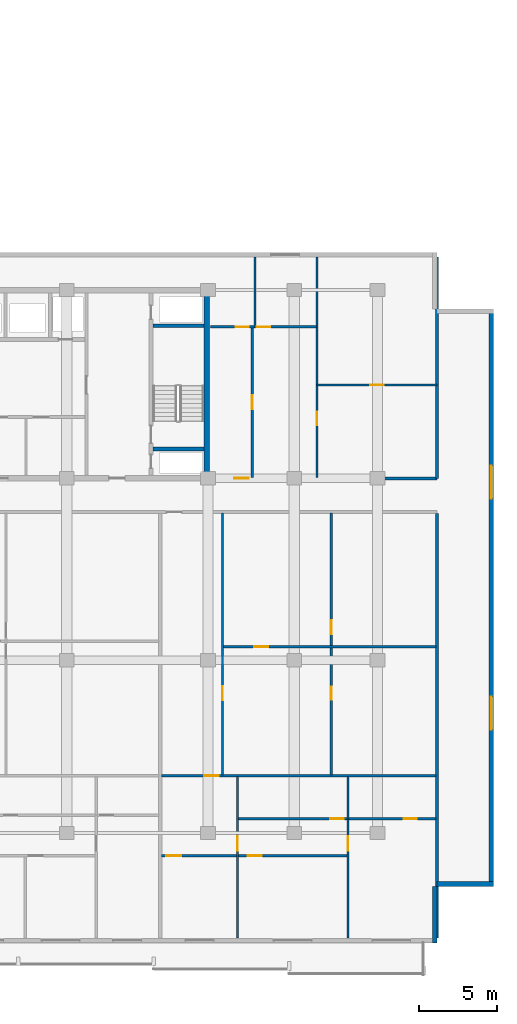
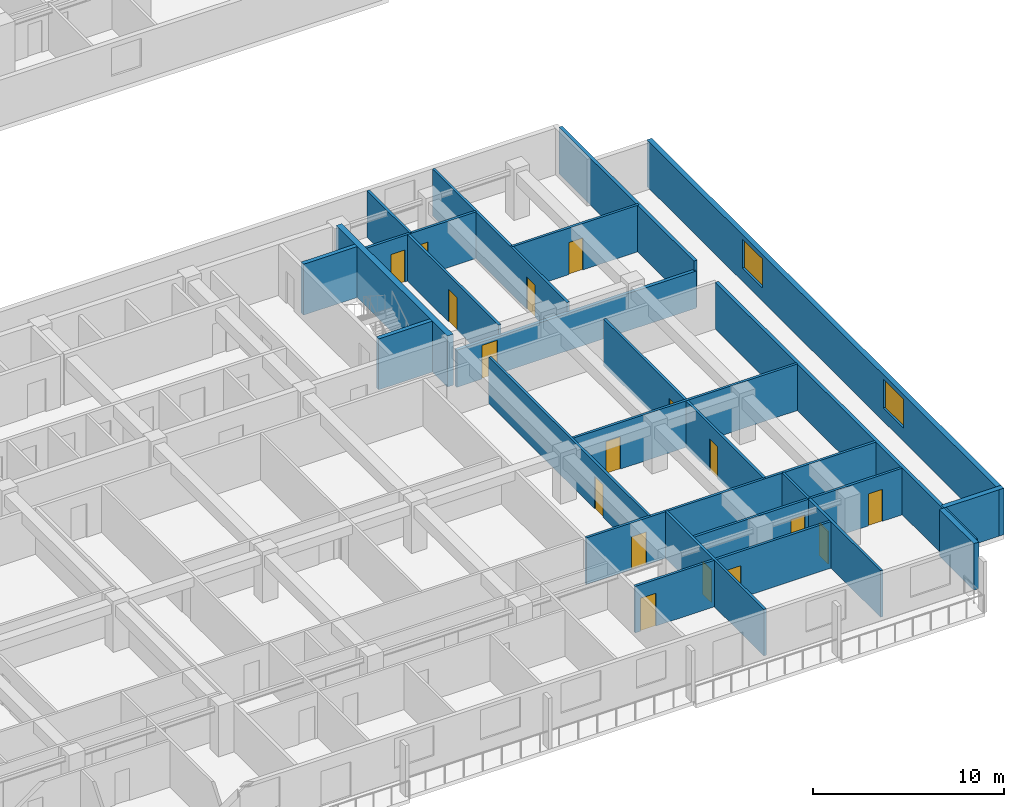
# One storey, part 8 of 23: 23 walls, 17 doors, 2 windows, 19 openings.
"""IFC4 building model written with IfcOpenShell, lengths in metres."""

import ifcopenshell
import ifcopenshell.guid

model = None  # the IFC model being written
_history = None  # IfcOwnerHistory: only IFC2X3 demands one
_inside = {}  # id of a spatial element -> (the spatial element, [elements in it])
_under = {}  # id of a project, library or spatial element -> (it, [spatial elements below it])
_declared = {}  # id of a project -> (the project, [libraries it declares])
_typed = {}  # id of a type object -> (the type object, [elements of that type])
_made_of = {}  # id of a material, layer set ... -> (it, [elements and type objects made of it])


def new_model(schema):
    """Start an empty IFC model of exactly this schema.

    Asked for "IFC4X3", IfcOpenShell would pick the latest addendum, in which some entities
    have other attributes; the version numbers below select the first issue.
    IFC2X3 requires an IfcOwnerHistory on every rooted entity: one is made here for all.
    """
    global model, _history
    if schema == "IFC4X3":
        model = ifcopenshell.file(schema_version=(4, 3, 0, 0))
    else:
        model = ifcopenshell.file(schema=schema)
    _inside.clear()
    _under.clear()
    _declared.clear()
    _typed.clear()
    _made_of.clear()
    _history = None
    if model.schema == "IFC2X3":
        org = make("IfcOrganization", Name="unknown")
        user = make(
            "IfcPersonAndOrganization",
            ThePerson=make("IfcPerson", FamilyName="unknown"),
            TheOrganization=org,
        )
        app = make(
            "IfcApplication",
            ApplicationDeveloper=org,
            Version="unknown",
            ApplicationFullName="unknown",
            ApplicationIdentifier="unknown",
        )
        _history = make(
            "IfcOwnerHistory",
            OwningUser=user,
            OwningApplication=app,
            ChangeAction="ADDED",
            CreationDate=0,
        )
    return model


def make(cls, **values):
    """One entity of the class cls with the attributes given. An attribute that is None is left unset."""
    return model.create_entity(
        cls, **{name: value for name, value in values.items() if value is not None}
    )


def rooted(cls, **values):
    """An entity with a GlobalId (a new one), such as an element, a storey or a relation."""
    return make(cls, GlobalId=ifcopenshell.guid.new(), OwnerHistory=_history, **values)


def si_unit(unit_type, name, prefix=None):
    """IfcSIUnit, for example si_unit("LENGTHUNIT", "METRE", prefix="MILLI")."""
    return make("IfcSIUnit", UnitType=unit_type, Prefix=prefix, Name=name)


def assignment(units):
    """IfcUnitAssignment: the units of a project."""
    return None if units is None else make("IfcUnitAssignment", Units=units)


def point(xyz):
    """IfcCartesianPoint."""
    return None if xyz is None else make("IfcCartesianPoint", Coordinates=xyz)


def direction(xyz):
    """IfcDirection."""
    return None if xyz is None else make("IfcDirection", DirectionRatios=xyz)


def frame(location, z_axis=None, x_axis=None):
    """IfcAxis2Placement3D, a coordinate frame: its origin and axes. An axis left out is left unset."""
    return make(
        "IfcAxis2Placement3D",
        Location=point(location),
        Axis=direction(z_axis),
        RefDirection=direction(x_axis),
    )


def frame_2d(location, x_axis=None):
    """IfcAxis2Placement2D, a coordinate frame in the plane: its origin and x axis."""
    return make(
        "IfcAxis2Placement2D", Location=point(location), RefDirection=direction(x_axis)
    )


def origin():
    """The frame at (0, 0, 0) with its axes left unset."""
    return frame((0.0, 0.0, 0.0))


def place(relative_to, where):
    """IfcLocalPlacement: puts the frame where relative to a parent placement (None: the world)."""
    return make(
        "IfcLocalPlacement", PlacementRelTo=relative_to, RelativePlacement=where
    )


def context(
    kind, dimensions, precision=None, world=None, true_north=None, identifier=None
):
    """IfcGeometricRepresentationContext, for example the 3D "Model" context."""
    return make(
        "IfcGeometricRepresentationContext",
        ContextIdentifier=identifier,
        ContextType=kind,
        CoordinateSpaceDimension=dimensions,
        Precision=precision,
        WorldCoordinateSystem=world,
        TrueNorth=true_north,
    )


def subcontext(parent, identifier, kind, view, scale=None):
    """IfcGeometricRepresentationSubContext, for example "Body" below "Model"."""
    return make(
        "IfcGeometricRepresentationSubContext",
        ContextIdentifier=identifier,
        ContextType=kind,
        ParentContext=parent,
        TargetScale=scale,
        TargetView=view,
    )


def project(units=None, contexts=None):
    """IfcProject with its units and contexts."""
    return rooted(
        "IfcProject",
        Name="project",
        RepresentationContexts=contexts,
        UnitsInContext=assignment(units),
    )


def spatial(cls, under=None, at=None, **own):
    """A site, building, storey or space (cls), placed at a placement, below another one or the project."""
    s = rooted(cls, ObjectPlacement=at, **own)
    if under is not None:
        _under.setdefault(under.id(), (under, []))[1].append(s)
    return s


def profile(cls, at=None, kind="AREA", **sizes):
    """A parametric profile (cls). Its sizes go by their IFC names, for example OverallWidth=200.0."""
    return make(cls, ProfileType=kind, Position=at, **sizes)


def rectangle(**sizes):
    """IfcRectangleProfileDef."""
    return profile("IfcRectangleProfileDef", **sizes)


def extrude(swept, where, along, depth):
    """IfcExtrudedAreaSolid: the profile swept, set in the frame where, extruded along a direction by depth."""
    return make(
        "IfcExtrudedAreaSolid",
        SweptArea=swept,
        Position=where,
        ExtrudedDirection=direction(along),
        Depth=depth,
    )


def shape(context_of_items, identifier, shape_type, items):
    """IfcShapeRepresentation: the items that make up one representation, for example the "Body"."""
    return make(
        "IfcShapeRepresentation",
        ContextOfItems=context_of_items,
        RepresentationIdentifier=identifier,
        RepresentationType=shape_type,
        Items=items,
    )


def material(Name=None, Category=None):
    """IfcMaterial."""
    return make("IfcMaterial", Name=Name, Category=Category)


def layer(
    of_material, thickness, ventilated=None, Name=None, Category=None, Priority=None
):
    """IfcMaterialLayer: one layer of a wall or slab, of a material (None: an air gap)."""
    return make(
        "IfcMaterialLayer",
        Material=of_material,
        LayerThickness=thickness,
        IsVentilated=ventilated,
        Name=Name,
        Category=Category,
        Priority=Priority,
    )


def layer_set(layers, Name=None):
    """IfcMaterialLayerSet."""
    return make("IfcMaterialLayerSet", MaterialLayers=layers, LayerSetName=Name)


def made_of(thing, what):
    """Note that an element or type object is made of a material, layer set ...; save() writes the relation."""
    if what is not None:
        _made_of.setdefault(what.id(), (what, []))[1].append(thing)
    return thing


def type_object(cls, material=None, **own):
    """A type object (cls), such as IfcWallType, which elements share."""
    return made_of(rooted(cls, **own), material)


def element(
    cls,
    number,
    at=None,
    inside=None,
    cuts=None,
    type_object=None,
    material=None,
    context=None,
    identifier="Body",
    shape_type=None,
    held_by="IfcProductDefinitionShape",
    body=None,
    shapes=None,
    **own,
):
    """One element of the class cls, such as IfcWall. Its Tag is "e" and its number.

    at: its placement. inside: the storey or other place that contains it. cuts: it is an
    opening in that element (IfcRelVoidsElement). A single representation is given by context,
    identifier, shape_type and body (its items); several are given by shapes. held_by: the class
    of the entity that holds the representations. save() writes the other relations.
    """
    e = rooted(cls, Tag="e%d" % number, ObjectPlacement=at, **own)
    if body is not None:
        shapes = [shape(context, identifier, shape_type, body)]
    if shapes is not None:
        e.Representation = make(held_by, Representations=shapes)
    if inside is not None:
        _inside.setdefault(inside.id(), (inside, []))[1].append(e)
    if cuts is not None:
        rooted(
            "IfcRelVoidsElement", RelatingBuildingElement=cuts, RelatedOpeningElement=e
        )
    if type_object is not None:
        _typed.setdefault(type_object.id(), (type_object, []))[1].append(e)
    return made_of(e, material)


def fill(opening, filler):
    """IfcRelFillsElement: the door or window that sits in an opening."""
    return rooted(
        "IfcRelFillsElement",
        RelatingOpeningElement=opening,
        RelatedBuildingElement=filler,
    )


def aggregate(whole, parts):
    """IfcRelAggregates: a whole, such as a stair, and the parts it consists of."""
    return rooted("IfcRelAggregates", RelatingObject=whole, RelatedObjects=parts)


def save(model, path):
    """Write the relations noted so far, then the file.

    IfcRelAggregates (storeys below a building ...), IfcRelContainedInSpatialStructure (elements
    in a storey), IfcRelDefinesByType, IfcRelAssociatesMaterial and IfcRelDeclares: one each for
    every whole, place, type object, material and project.
    """
    for whole, parts in _under.values():
        aggregate(whole, parts)
    for where, things in _inside.values():
        rooted(
            "IfcRelContainedInSpatialStructure",
            RelatedElements=things,
            RelatingStructure=where,
        )
    for kind, things in _typed.values():
        rooted("IfcRelDefinesByType", RelatedObjects=things, RelatingType=kind)
    for what, things in _made_of.values():
        rooted("IfcRelAssociatesMaterial", RelatedObjects=things, RelatingMaterial=what)
    for by, libraries in _declared.values():
        rooted("IfcRelDeclares", RelatingContext=by, RelatedDefinitions=libraries)
    model.write(path)


model = new_model("IFC4")

# Units and contexts
model_context = context("Model", 3, precision=1e-05, world=origin(), true_north=direction((0.0, 1.0)))
body_context = subcontext(model_context, "Body", "Model", "MODEL_VIEW")
ifc_project = project(units=[si_unit("LENGTHUNIT", "METRE"), si_unit("AREAUNIT", "SQUARE_METRE"), si_unit("VOLUMEUNIT", "CUBIC_METRE"), si_unit("PLANEANGLEUNIT", "RADIAN"), si_unit("MASSUNIT", "GRAM", prefix="KILO")], contexts=[model_context])

# Site, building, storey
site_placement = place(None, origin())
site = spatial("IfcSite", under=ifc_project, at=site_placement, CompositionType="ELEMENT")
building_placement = place(site_placement, origin())
building = spatial("IfcBuilding", under=site, at=building_placement, Name="Korimba Cascade Residences", CompositionType="ELEMENT")
storey_placement = place(building_placement, frame((0.0, 0.0, 56.5)))
storey = spatial("IfcBuildingStorey", under=building, at=storey_placement, Name="L15", CompositionType="ELEMENT", Elevation=56.5)

# Walls
ifc_material_1 = material(Name="Precast concrete C40/50", Category="concrete")
ifc_layer_1 = layer(ifc_material_1, 0.300048828125)
ifc_layer_set_1 = layer_set([ifc_layer_1], Name="Precast concrete C40/50")
wall_type_1 = type_object("IfcWallType", Name="EW-STONE-300", PredefinedType="STANDARD", material=ifc_layer_set_1)
wall_1_placement = place(storey_placement, frame((132.550048828125, -11.199951171875, 0.0), z_axis=(0.0, 0.0, 1.0), x_axis=(0.0, 1.0, 0.0)))
element("IfcWall", 1, at=wall_1_placement, inside=storey, type_object=wall_type_1, Name="L15 T2 Perimeter Stone Wall E01", PredefinedType="STANDARD", context=body_context, shape_type="SweptSolid", body=[
    extrude(rectangle(XDim=3.599853515625, YDim=0.300048828125, at=frame_2d((1.7998046875, 0.0))), origin(), (0.0, 0.0, 1.0), 2.969970703125),
])
wall_2_placement = place(storey_placement, frame((132.699951171875, -7.449951171875, 0.0), z_axis=(0.0, 0.0, 1.0), x_axis=(1.0, 0.0, 0.0)))
element("IfcWall", 2, at=wall_2_placement, inside=storey, type_object=wall_type_1, Name="L15 T2 Perimeter Stone Wall E02", PredefinedType="STANDARD", context=body_context, shape_type="SweptSolid", body=[
    extrude(rectangle(XDim=3.60009765625, YDim=0.300048828125, at=frame_2d((1.800048828125, 0.0))), origin(), (0.0, 0.0, 1.0), 2.969970703125),
])

# Wall, openings, windows
wall_3_placement = place(storey_placement, frame((136.14990234375, -7.60009765625, 0.0), z_axis=(0.0, 0.0, 1.0), x_axis=(0.0, 1.0, 0.0)))
wall_3 = element("IfcWall", 3, at=wall_3_placement, inside=storey, type_object=wall_type_1, Name="L15 T2 Perimeter Stone Wall E03", PredefinedType="STANDARD", context=body_context, shape_type="SweptSolid", body=[
    extrude(rectangle(XDim=36.800048828125, YDim=0.300048828125, at=frame_2d((18.39990234375, 0.0))), origin(), (0.0, 0.0, 1.0), 2.969970703125),
])
opening_1_placement = place(wall_3_placement, frame((9.989990234375, 0.0, 0.85009765625)))
opening_1 = element("IfcOpeningElement", 4, at=opening_1_placement, cuts=wall_3, Name="Opening W-03", PredefinedType="OPENING", context=body_context, shape_type="SweptSolid", body=[
    extrude(rectangle(XDim=2.10009765625, YDim=1.85009765625, at=frame_2d((1.050048828125, 0.925048828125))), frame((0.0, 0.16015625, 0.0), z_axis=(0.0, -1.0, 0.0), x_axis=(1.0, 0.0, 0.0)), (0.0, 0.0, 1.0), 0.320068359375),
])
opening_2_placement = place(wall_3_placement, frame((24.7099609375, 0.0, 0.85009765625)))
opening_2 = element("IfcOpeningElement", 5, at=opening_2_placement, cuts=wall_3, Name="Opening W-03", PredefinedType="OPENING", context=body_context, shape_type="SweptSolid", body=[
    extrude(rectangle(XDim=2.10009765625, YDim=1.85009765625, at=frame_2d((1.050048828125, 0.925048828125))), frame((0.0, 0.16015625, 0.0), z_axis=(0.0, -1.0, 0.0), x_axis=(1.0, 0.0, 0.0)), (0.0, 0.0, 1.0), 0.320068359375),
])
ifc_material_2 = material(Name="Double-Glazed Aluminium Window", Category="aluminium")
window_type = type_object("IfcWindowType", Name="WIN-CRN-2100", PartitioningType="DOUBLE_PANEL_HORIZONTAL", PredefinedType="WINDOW", material=ifc_material_2)
window_1_placement = place(opening_1_placement, origin())
window_1 = element("IfcWindow", 6, at=window_1_placement, inside=storey, type_object=window_type, Name="L15 T2 End View Window 3.1", OverallHeight=1.85009765625, OverallWidth=2.10009765625, PartitioningType="DOUBLE_PANEL_HORIZONTAL", PredefinedType="WINDOW", context=body_context, shape_type="SweptSolid", body=[
    extrude(rectangle(XDim=2.10009765625, YDim=1.85009765625, at=frame_2d((1.050048828125, 0.925048828125))), frame((0.0, 0.030029296875, 0.0), z_axis=(0.0, -1.0, 0.0), x_axis=(1.0, 0.0, 0.0)), (0.0, 0.0, 1.0), 0.06005859375),
])
fill(opening_1, window_1)
window_2_placement = place(opening_2_placement, origin())
window_2 = element("IfcWindow", 7, at=window_2_placement, inside=storey, type_object=window_type, Name="L15 T2 End View Window 3.2", OverallHeight=1.85009765625, OverallWidth=2.10009765625, PartitioningType="DOUBLE_PANEL_HORIZONTAL", PredefinedType="WINDOW", context=body_context, shape_type="SweptSolid", body=[
    extrude(rectangle(XDim=2.10009765625, YDim=1.85009765625, at=frame_2d((1.050048828125, 0.925048828125))), frame((0.0, 0.030029296875, 0.0), z_axis=(0.0, -1.0, 0.0), x_axis=(1.0, 0.0, 0.0)), (0.0, 0.0, 1.0), 0.06005859375),
])
fill(opening_2, window_2)

# Walls
ifc_material_3 = material(Name="Concrete C65/80", Category="concrete")
ifc_layer_2 = layer(ifc_material_3, 0.35009765625)
ifc_layer_set_2 = layer_set([ifc_layer_2], Name="Concrete C65/80")
wall_type_2 = type_object("IfcWallType", Name="WAL-CORE-350", PredefinedType="SHEAR", material=ifc_layer_set_2)
wall_4_placement = place(storey_placement, frame((118.014892578125, 18.574951171875, 0.0), z_axis=(0.0, 0.0, 1.0), x_axis=(0.0, 1.0, 0.0)))
element("IfcWall", 8, at=wall_4_placement, inside=storey, type_object=wall_type_2, Name="L15 Core Shear Wall CW-L15-T2-E", PredefinedType="SHEAR", context=body_context, shape_type="SweptSolid", body=[
    extrude(rectangle(XDim=11.650146484375, YDim=0.35009765625, at=frame_2d((5.8251953125, 0.0))), origin(), (0.0, 0.0, 1.0), 3.25),
])
ifc_layer_3 = layer(ifc_material_1, 0.199951171875)
ifc_layer_set_3 = layer_set([ifc_layer_3], Name="Precast concrete C40/50")
wall_type_3 = type_object("IfcWallType", Name="WAL-IT-200", PredefinedType="PARTITIONING", material=ifc_layer_set_3)
wall_5_placement = place(storey_placement, frame((132.699951171875, 18.39990234375, 0.0), z_axis=(0.0, 0.0, 1.0), x_axis=(0.0, 1.0, 0.0)))
element("IfcWall", 9, at=wall_5_placement, inside=storey, type_object=wall_type_3, Name="L15 Partition Wall WAL-L15-T2-FE-WR", PredefinedType="PARTITIONING", context=body_context, shape_type="SweptSolid", body=[
    extrude(rectangle(XDim=14.10009765625, YDim=0.199951171875, at=frame_2d((7.050048828125, 0.0))), origin(), (0.0, 0.0, 1.0), 2.969970703125),
])

# Wall, opening, door
wall_6_placement = place(storey_placement, frame((118.25, 18.39990234375, 0.0), z_axis=(0.0, 0.0, 1.0), x_axis=(1.0, 0.0, 0.0)))
wall_6 = element("IfcWall", 10, at=wall_6_placement, inside=storey, type_object=wall_type_3, Name="L15 Partition Wall WAL-L15-T2-FE-S", PredefinedType="PARTITIONING", context=body_context, shape_type="SweptSolid", body=[
    extrude(rectangle(XDim=14.449951171875, YDim=0.199951171875, at=frame_2d((7.22509765625, 0.0))), origin(), (0.0, 0.0, 1.0), 2.3701171875),
])
opening_3_placement = place(wall_6_placement, frame((1.510009765625, 0.0, 0.0)))
opening_3 = element("IfcOpeningElement", 11, at=opening_3_placement, cuts=wall_6, Name="Opening D-UN1", PredefinedType="OPENING", context=body_context, shape_type="SweptSolid", body=[
    extrude(rectangle(XDim=0.949951171875, YDim=2.14990234375, at=frame_2d((0.47509765625, 1.074951171875))), frame((0.0, 0.10986328125, 0.0), z_axis=(0.0, -1.0, 0.0), x_axis=(1.0, 0.0, 0.0)), (0.0, 0.0, 1.0), 0.219970703125),
])
ifc_material_4 = material(Name="Fire-Rated Hardwood Apartment Entrance Door", Category="wood")
door_type_1 = type_object("IfcDoorType", Name="DR-FD60-950", OperationType="NOTDEFINED", PredefinedType="DOOR", material=ifc_material_4)
door_1_placement = place(opening_3_placement, origin())
door_1 = element("IfcDoor", 12, at=door_1_placement, inside=storey, type_object=door_type_1, Name="L15-T2-FE Entrance Door", OperationType="SINGLE_SWING_LEFT", OverallHeight=2.14990234375, OverallWidth=0.949951171875, PredefinedType="DOOR", context=body_context, shape_type="SweptSolid", body=[
    extrude(rectangle(XDim=0.949951171875, YDim=2.14990234375, at=frame_2d((0.47509765625, 1.074951171875))), frame((0.0, 0.02490234375, 0.0), z_axis=(0.0, -1.0, 0.0), x_axis=(1.0, 0.0, 0.0)), (0.0, 0.0, 1.0), 0.050048828125),
])
fill(opening_3, door_1)

# Wall
wall_7_placement = place(storey_placement, frame((132.699951171875, -10.89990234375, 0.0), z_axis=(0.0, 0.0, 1.0), x_axis=(0.0, 1.0, 0.0)))
element("IfcWall", 13, at=wall_7_placement, inside=storey, type_object=wall_type_3, Name="L15 Partition Wall WAL-L15-T2-BNDWR", PredefinedType="PARTITIONING", context=body_context, shape_type="SweptSolid", body=[
    extrude(rectangle(XDim=27.06982421875, YDim=0.199951171875, at=frame_2d((13.534912109375, 0.0))), origin(), (0.0, 0.0, 1.0), 2.969970703125),
])

# Wall, opening, door
ifc_material_5 = material(Name="Insulated Acoustic Stud Partition", Category="gypsum")
ifc_layer_4 = layer(ifc_material_5, 0.14990234375)
ifc_layer_set_4 = layer_set([ifc_layer_4], Name="Insulated Acoustic Stud Partition")
wall_type_4 = type_object("IfcWallType", Name="WAL-PART-150", PredefinedType="PARTITIONING", material=ifc_layer_set_4)
wall_8_placement = place(storey_placement, frame((125.050048828125, 24.35009765625, 0.0), z_axis=(0.0, 0.0, 1.0), x_axis=(1.0, 0.0, 0.0)))
wall_8 = element("IfcWall", 14, at=wall_8_placement, inside=storey, type_object=wall_type_4, Name="L15 Partition Wall WAL-L15-T2-FE-STH", PredefinedType="PARTITIONING", context=body_context, shape_type="SweptSolid", body=[
    extrude(rectangle(XDim=7.64990234375, YDim=0.14990234375, at=frame_2d((3.824951171875, 0.0))), origin(), (0.0, 0.0, 1.0), 2.969970703125),
])
opening_4_placement = place(wall_8_placement, frame((3.405029296875, 0.0, 0.0)))
opening_4 = element("IfcOpeningElement", 15, at=opening_4_placement, cuts=wall_8, Name="Opening D-BT1", PredefinedType="OPENING", context=body_context, shape_type="SweptSolid", body=[
    extrude(rectangle(XDim=0.840087890625, YDim=2.0400390625, at=frame_2d((0.419921875, 1.02001953125))), frame((0.0, 0.0849609375, 0.0), z_axis=(0.0, -1.0, 0.0), x_axis=(1.0, 0.0, 0.0)), (0.0, 0.0, 1.0), 0.169921875),
])
ifc_material_6 = material(Name="Moisture-Resistant Bathroom Timber Door", Category="wood")
door_type_2 = type_object("IfcDoorType", Name="DR-INT-850", OperationType="NOTDEFINED", PredefinedType="DOOR", material=ifc_material_6)
door_2_placement = place(opening_4_placement, origin())
door_2 = element("IfcDoor", 16, at=door_2_placement, inside=storey, type_object=door_type_2, Name="L15-T2-FE Dressing Store Door", OperationType="SINGLE_SWING_RIGHT", OverallHeight=2.0400390625, OverallWidth=0.840087890625, PredefinedType="DOOR", context=body_context, shape_type="SweptSolid", body=[
    extrude(rectangle(XDim=0.840087890625, YDim=2.0400390625, at=frame_2d((0.419921875, 1.02001953125))), frame((0.0, 0.02490234375, 0.0), z_axis=(0.0, -1.0, 0.0), x_axis=(1.0, 0.0, 0.0)), (0.0, 0.0, 1.0), 0.050048828125),
])
fill(opening_4, door_2)

wall_9_placement = place(storey_placement, frame((125.050048828125, 18.449951171875, 0.0), z_axis=(0.0, 0.0, 1.0), x_axis=(0.0, 1.0, 0.0)))
wall_9 = element("IfcWall", 17, at=wall_9_placement, inside=storey, type_object=wall_type_4, Name="L15 Partition Wall WAL-L15-T2-FE-STV", PredefinedType="PARTITIONING", context=body_context, shape_type="SweptSolid", body=[
    extrude(rectangle(XDim=14.050048828125, YDim=0.14990234375, at=frame_2d((7.02490234375, 0.0))), origin(), (0.0, 0.0, 1.0), 2.969970703125),
])
opening_5_placement = place(wall_9_placement, frame((3.320068359375, 0.0, 0.0)))
opening_5 = element("IfcOpeningElement", 18, at=opening_5_placement, cuts=wall_9, Name="Opening D-IN2", PredefinedType="OPENING", context=body_context, shape_type="SweptSolid", body=[
    extrude(rectangle(XDim=0.8798828125, YDim=2.06005859375, at=frame_2d((0.43994140625, 1.030029296875))), frame((0.0, 0.0849609375, 0.0), z_axis=(0.0, -1.0, 0.0), x_axis=(1.0, 0.0, 0.0)), (0.0, 0.0, 1.0), 0.169921875),
])
ifc_material_7 = material(Name="Acoustic Timber Bedroom Door", Category="wood")
door_type_3 = type_object("IfcDoorType", Name="DR-INT-880", OperationType="NOTDEFINED", PredefinedType="DOOR", material=ifc_material_7)
door_3_placement = place(opening_5_placement, origin())
door_3 = element("IfcDoor", 19, at=door_3_placement, inside=storey, type_object=door_type_3, Name="L15-T2-FE Study Door", OperationType="SINGLE_SWING_LEFT", OverallHeight=2.06005859375, OverallWidth=0.8798828125, PredefinedType="DOOR", context=body_context, shape_type="SweptSolid", body=[
    extrude(rectangle(XDim=0.8798828125, YDim=2.06005859375, at=frame_2d((0.43994140625, 1.030029296875))), frame((0.0, 0.02490234375, 0.0), z_axis=(0.0, -1.0, 0.0), x_axis=(1.0, 0.0, 0.0)), (0.0, 0.0, 1.0), 0.050048828125),
])
fill(opening_5, door_3)

wall_10_placement = place(storey_placement, frame((120.929931640625, 18.449951171875, 0.0), z_axis=(0.0, 0.0, 1.0), x_axis=(0.0, 1.0, 0.0)))
wall_10 = element("IfcWall", 20, at=wall_10_placement, inside=storey, type_object=wall_type_4, Name="L15 Partition Wall WAL-L15-T2-FE-VS", PredefinedType="PARTITIONING", context=body_context, shape_type="SweptSolid", body=[
    extrude(rectangle(XDim=9.60009765625, YDim=0.14990234375, at=frame_2d((4.800048828125, 0.0))), origin(), (0.0, 0.0, 1.0), 2.969970703125),
])
opening_6_placement = place(wall_10_placement, frame((4.340087890625, 0.0, 0.0)))
opening_6 = element("IfcOpeningElement", 21, at=opening_6_placement, cuts=wall_10, Name="Opening D-IN1", PredefinedType="OPENING", context=body_context, shape_type="SweptSolid", body=[
    extrude(rectangle(XDim=0.919921875, YDim=2.080078125, at=frame_2d((0.4599609375, 1.0400390625))), frame((0.0, 0.0849609375, 0.0), z_axis=(0.0, -1.0, 0.0), x_axis=(1.0, 0.0, 0.0)), (0.0, 0.0, 1.0), 0.169921875),
])
ifc_material_8 = material(Name="Acoustic Timber Living Door", Category="wood")
door_type_4 = type_object("IfcDoorType", Name="DR-INT-920", OperationType="NOTDEFINED", PredefinedType="DOOR", material=ifc_material_8)
door_4_placement = place(opening_6_placement, origin())
door_4 = element("IfcDoor", 22, at=door_4_placement, inside=storey, type_object=door_type_4, Name="L15-T2-FE Living Door", OperationType="SINGLE_SWING_RIGHT", OverallHeight=2.080078125, OverallWidth=0.919921875, PredefinedType="DOOR", context=body_context, shape_type="SweptSolid", body=[
    extrude(rectangle(XDim=0.919921875, YDim=2.080078125, at=frame_2d((0.4599609375, 1.0400390625))), frame((0.0, 0.02490234375, 0.0), z_axis=(0.0, -1.0, 0.0), x_axis=(1.0, 0.0, 0.0)), (0.0, 0.0, 1.0), 0.050048828125),
])
fill(opening_6, door_4)

# Wall
wall_11_placement = place(storey_placement, frame((121.10009765625, 28.050048828125, 0.0), z_axis=(0.0, 0.0, 1.0), x_axis=(0.0, 1.0, 0.0)))
element("IfcWall", 23, at=wall_11_placement, inside=storey, type_object=wall_type_4, Name="L15 Partition Wall WAL-L15-T2-FE-VN", PredefinedType="PARTITIONING", context=body_context, shape_type="SweptSolid", body=[
    extrude(rectangle(XDim=4.449951171875, YDim=0.14990234375, at=frame_2d((2.22509765625, 0.0))), origin(), (0.0, 0.0, 1.0), 2.969970703125),
])

# Wall, openings, doors
wall_12_placement = place(storey_placement, frame((118.27001953125, 28.050048828125, 0.0), z_axis=(0.0, 0.0, 1.0), x_axis=(1.0, 0.0, 0.0)))
wall_12 = element("IfcWall", 24, at=wall_12_placement, inside=storey, type_object=wall_type_4, Name="L15 Partition Wall WAL-L15-T2-FE-H", PredefinedType="PARTITIONING", context=body_context, shape_type="SweptSolid", body=[
    extrude(rectangle(XDim=6.760009765625, YDim=0.14990234375, at=frame_2d((3.3798828125, 0.0))), origin(), (0.0, 0.0, 1.0), 2.969970703125),
])
opening_7_placement = place(wall_12_placement, frame((1.58740234375, 0.0, 0.0)))
opening_7 = element("IfcOpeningElement", 25, at=opening_7_placement, cuts=wall_12, Name="Opening D-BT1", PredefinedType="OPENING", context=body_context, shape_type="SweptSolid", body=[
    extrude(rectangle(XDim=0.840087890625, YDim=2.0400390625, at=frame_2d((0.419921875, 1.02001953125))), frame((0.0, 0.0849609375, 0.0), z_axis=(0.0, -1.0, 0.0), x_axis=(1.0, 0.0, 0.0)), (0.0, 0.0, 1.0), 0.169921875),
])
opening_8_placement = place(wall_12_placement, frame((2.93408203125, 0.0, 0.0)))
opening_8 = element("IfcOpeningElement", 26, at=opening_8_placement, cuts=wall_12, Name="Opening D-IN2", PredefinedType="OPENING", context=body_context, shape_type="SweptSolid", body=[
    extrude(rectangle(XDim=0.8798828125, YDim=2.06005859375, at=frame_2d((0.43994140625, 1.030029296875))), frame((0.0, 0.0849609375, 0.0), z_axis=(0.0, -1.0, 0.0), x_axis=(1.0, 0.0, 0.0)), (0.0, 0.0, 1.0), 0.169921875),
])
door_5_placement = place(opening_7_placement, origin())
door_5 = element("IfcDoor", 27, at=door_5_placement, inside=storey, type_object=door_type_2, Name="L15-T2-FE Bathroom Door", OperationType="SINGLE_SWING_LEFT", OverallHeight=2.0400390625, OverallWidth=0.840087890625, PredefinedType="DOOR", context=body_context, shape_type="SweptSolid", body=[
    extrude(rectangle(XDim=0.840087890625, YDim=2.0400390625, at=frame_2d((0.419921875, 1.02001953125))), frame((0.0, 0.02490234375, 0.0), z_axis=(0.0, -1.0, 0.0), x_axis=(1.0, 0.0, 0.0)), (0.0, 0.0, 1.0), 0.050048828125),
])
fill(opening_7, door_5)
door_6_placement = place(opening_8_placement, origin())
door_6 = element("IfcDoor", 28, at=door_6_placement, inside=storey, type_object=door_type_3, Name="L15-T2-FE Bedroom Door", OperationType="SINGLE_SWING_RIGHT", OverallHeight=2.06005859375, OverallWidth=0.8798828125, PredefinedType="DOOR", context=body_context, shape_type="SweptSolid", body=[
    extrude(rectangle(XDim=0.8798828125, YDim=2.06005859375, at=frame_2d((0.43994140625, 1.030029296875))), frame((0.0, 0.02490234375, 0.0), z_axis=(0.0, -1.0, 0.0), x_axis=(1.0, 0.0, 0.0)), (0.0, 0.0, 1.0), 0.050048828125),
])
fill(opening_8, door_6)

wall_13_placement = place(storey_placement, frame((125.952880859375, -0.510009765625, 0.0), z_axis=(0.0, 0.0, 1.0), x_axis=(0.0, 1.0, 0.0)))
wall_13 = element("IfcWall", 29, at=wall_13_placement, inside=storey, type_object=wall_type_4, Name="L15 Partition Wall WAL-L15-T2-U03-FMV", PredefinedType="PARTITIONING", context=body_context, shape_type="SweptSolid", body=[
    extrude(rectangle(XDim=16.699951171875, YDim=0.14990234375, at=frame_2d((8.35009765625, 0.0))), origin(), (0.0, 0.0, 1.0), 2.969970703125),
])
opening_9_placement = place(wall_13_placement, frame((4.791748046875, 0.0, 0.0)))
opening_9 = element("IfcOpeningElement", 30, at=opening_9_placement, cuts=wall_13, Name="Opening D-BT1", PredefinedType="OPENING", context=body_context, shape_type="SweptSolid", body=[
    extrude(rectangle(XDim=0.840087890625, YDim=2.0400390625, at=frame_2d((0.419921875, 1.02001953125))), frame((0.0, 0.0849609375, 0.0), z_axis=(0.0, -1.0, 0.0), x_axis=(1.0, 0.0, 0.0)), (0.0, 0.0, 1.0), 0.169921875),
])
opening_10_placement = place(wall_13_placement, frame((8.98388671875, 0.0, 0.0)))
opening_10 = element("IfcOpeningElement", 31, at=opening_10_placement, cuts=wall_13, Name="Opening D-IN2", PredefinedType="OPENING", context=body_context, shape_type="SweptSolid", body=[
    extrude(rectangle(XDim=0.8798828125, YDim=2.06005859375, at=frame_2d((0.43994140625, 1.030029296875))), frame((0.0, 0.0849609375, 0.0), z_axis=(0.0, -1.0, 0.0), x_axis=(1.0, 0.0, 0.0)), (0.0, 0.0, 1.0), 0.169921875),
])
door_7_placement = place(opening_9_placement, origin())
door_7 = element("IfcDoor", 32, at=door_7_placement, inside=storey, type_object=door_type_2, Name="L15-T2-U03 Wardrobe Door", OperationType="SINGLE_SWING_LEFT", OverallHeight=2.0400390625, OverallWidth=0.840087890625, PredefinedType="DOOR", context=body_context, shape_type="SweptSolid", body=[
    extrude(rectangle(XDim=0.840087890625, YDim=2.0400390625, at=frame_2d((0.419921875, 1.02001953125))), frame((0.0, 0.02490234375, 0.0), z_axis=(0.0, -1.0, 0.0), x_axis=(1.0, 0.0, 0.0)), (0.0, 0.0, 1.0), 0.050048828125),
])
fill(opening_9, door_7)
door_8_placement = place(opening_10_placement, origin())
door_8 = element("IfcDoor", 33, at=door_8_placement, inside=storey, type_object=door_type_3, Name="L15-T2-U03 Music Lounge Door", OperationType="SINGLE_SWING_RIGHT", OverallHeight=2.06005859375, OverallWidth=0.8798828125, PredefinedType="DOOR", context=body_context, shape_type="SweptSolid", body=[
    extrude(rectangle(XDim=0.8798828125, YDim=2.06005859375, at=frame_2d((0.43994140625, 1.030029296875))), frame((0.0, 0.02490234375, 0.0), z_axis=(0.0, -1.0, 0.0), x_axis=(1.0, 0.0, 0.0)), (0.0, 0.0, 1.0), 0.050048828125),
])
fill(opening_10, door_8)

# Wall, opening, door
wall_14_placement = place(storey_placement, frame((119.085693359375, 7.659912109375, 0.0), z_axis=(0.0, 0.0, 1.0), x_axis=(1.0, 0.0, 0.0)))
wall_14 = element("IfcWall", 34, at=wall_14_placement, inside=storey, type_object=wall_type_4, Name="L15 Partition Wall WAL-L15-T2-U03-FMH", PredefinedType="PARTITIONING", context=body_context, shape_type="SweptSolid", body=[
    extrude(rectangle(XDim=13.534423828125, YDim=0.14990234375, at=frame_2d((6.76708984375, 0.0))), origin(), (0.0, 0.0, 1.0), 2.969970703125),
])
opening_11_placement = place(wall_14_placement, frame((1.97509765625, 0.0, 0.0)))
opening_11 = element("IfcOpeningElement", 35, at=opening_11_placement, cuts=wall_14, Name="Opening D-IN2", PredefinedType="OPENING", context=body_context, shape_type="SweptSolid", body=[
    extrude(rectangle(XDim=0.8798828125, YDim=2.06005859375, at=frame_2d((0.43994140625, 1.030029296875))), frame((0.0, 0.0849609375, 0.0), z_axis=(0.0, -1.0, 0.0), x_axis=(1.0, 0.0, 0.0)), (0.0, 0.0, 1.0), 0.169921875),
])
door_9_placement = place(opening_11_placement, origin())
door_9 = element("IfcDoor", 36, at=door_9_placement, inside=storey, type_object=door_type_3, Name="L15-T2-U03 Library Salon Door", OperationType="SINGLE_SWING_LEFT", OverallHeight=2.06005859375, OverallWidth=0.8798828125, PredefinedType="DOOR", context=body_context, shape_type="SweptSolid", body=[
    extrude(rectangle(XDim=0.8798828125, YDim=2.06005859375, at=frame_2d((0.43994140625, 1.030029296875))), frame((0.0, 0.02490234375, 0.0), z_axis=(0.0, -1.0, 0.0), x_axis=(1.0, 0.0, 0.0)), (0.0, 0.0, 1.0), 0.050048828125),
])
fill(opening_11, door_9)

wall_15_placement = place(storey_placement, frame((119.02587890625, -0.510009765625, 0.0), z_axis=(0.0, 0.0, 1.0), x_axis=(0.0, 1.0, 0.0)))
wall_15 = element("IfcWall", 37, at=wall_15_placement, inside=storey, type_object=wall_type_4, Name="L15 Partition Wall WAL-L15-T2-U03-FV", PredefinedType="PARTITIONING", context=body_context, shape_type="SweptSolid", body=[
    extrude(rectangle(XDim=16.699951171875, YDim=0.14990234375, at=frame_2d((8.35009765625, 0.0))), origin(), (0.0, 0.0, 1.0), 2.969970703125),
])
opening_12_placement = place(wall_15_placement, frame((4.765380859375, 0.0, 0.0)))
opening_12 = element("IfcOpeningElement", 38, at=opening_12_placement, cuts=wall_15, Name="Opening D-IN2", PredefinedType="OPENING", context=body_context, shape_type="SweptSolid", body=[
    extrude(rectangle(XDim=0.8798828125, YDim=2.06005859375, at=frame_2d((0.43994140625, 1.030029296875))), frame((0.0, 0.0849609375, 0.0), z_axis=(0.0, -1.0, 0.0), x_axis=(1.0, 0.0, 0.0)), (0.0, 0.0, 1.0), 0.169921875),
])
door_10_placement = place(opening_12_placement, origin())
door_10 = element("IfcDoor", 39, at=door_10_placement, inside=storey, type_object=door_type_3, Name="L15-T2-U03 Media Lounge Door", OperationType="SINGLE_SWING_RIGHT", OverallHeight=2.06005859375, OverallWidth=0.8798828125, PredefinedType="DOOR", context=body_context, shape_type="SweptSolid", body=[
    extrude(rectangle(XDim=0.8798828125, YDim=2.06005859375, at=frame_2d((0.43994140625, 1.030029296875))), frame((0.0, 0.02490234375, 0.0), z_axis=(0.0, -1.0, 0.0), x_axis=(1.0, 0.0, 0.0)), (0.0, 0.0, 1.0), 0.050048828125),
])
fill(opening_12, door_10)

wall_16_placement = place(storey_placement, frame((119.97998046875, -10.89990234375, 0.0), z_axis=(0.0, 0.0, 1.0), x_axis=(0.0, 1.0, 0.0)))
wall_16 = element("IfcWall", 40, at=wall_16_placement, inside=storey, type_object=wall_type_4, Name="L15 Partition Wall WAL-L15-T2-U03-V1", PredefinedType="PARTITIONING", context=body_context, shape_type="SweptSolid", body=[
    extrude(rectangle(XDim=10.309814453125, YDim=0.14990234375, at=frame_2d((5.15478515625, 0.0))), origin(), (0.0, 0.0, 1.0), 2.969970703125),
])
opening_13_placement = place(wall_16_placement, frame((5.570068359375, 0.0, 0.0)))
opening_13 = element("IfcOpeningElement", 41, at=opening_13_placement, cuts=wall_16, Name="Opening D-IN1", PredefinedType="OPENING", context=body_context, shape_type="SweptSolid", body=[
    extrude(rectangle(XDim=0.919921875, YDim=2.080078125, at=frame_2d((0.4599609375, 1.0400390625))), frame((0.0, 0.0849609375, 0.0), z_axis=(0.0, -1.0, 0.0), x_axis=(1.0, 0.0, 0.0)), (0.0, 0.0, 1.0), 0.169921875),
])
door_11_placement = place(opening_13_placement, origin())
door_11 = element("IfcDoor", 42, at=door_11_placement, inside=storey, type_object=door_type_4, Name="L15-T2-U03 Hallway Door", OperationType="SINGLE_SWING_LEFT", OverallHeight=2.080078125, OverallWidth=0.919921875, PredefinedType="DOOR", context=body_context, shape_type="SweptSolid", body=[
    extrude(rectangle(XDim=0.919921875, YDim=2.080078125, at=frame_2d((0.4599609375, 1.0400390625))), frame((0.0, 0.02490234375, 0.0), z_axis=(0.0, -1.0, 0.0), x_axis=(1.0, 0.0, 0.0)), (0.0, 0.0, 1.0), 0.050048828125),
])
fill(opening_13, door_11)

# Wall
wall_17_placement = place(storey_placement, frame((127.02001953125, -3.280029296875, 0.0), z_axis=(0.0, 0.0, 1.0), x_axis=(0.0, 1.0, 0.0)))
element("IfcWall", 43, at=wall_17_placement, inside=storey, type_object=wall_type_4, Name="L15 Partition Wall WAL-L15-T2-U03-VBATH", PredefinedType="PARTITIONING", context=body_context, shape_type="SweptSolid", body=[
    extrude(rectangle(XDim=2.68994140625, YDim=0.14990234375, at=frame_2d((1.344970703125, 0.0))), origin(), (0.0, 0.0, 1.0), 2.969970703125),
])

# Wall, opening, door
wall_18_placement = place(storey_placement, frame((127.02001953125, -10.89990234375, 0.0), z_axis=(0.0, 0.0, 1.0), x_axis=(0.0, 1.0, 0.0)))
wall_18 = element("IfcWall", 44, at=wall_18_placement, inside=storey, type_object=wall_type_4, Name="L15 Partition Wall WAL-L15-T2-U03-V2FULL", PredefinedType="PARTITIONING", context=body_context, shape_type="SweptSolid", body=[
    extrude(rectangle(XDim=7.579833984375, YDim=0.14990234375, at=frame_2d((3.7900390625, 0.0))), origin(), (0.0, 0.0, 1.0), 2.969970703125),
])
opening_14_placement = place(wall_18_placement, frame((5.570068359375, 0.0, 0.0)))
opening_14 = element("IfcOpeningElement", 45, at=opening_14_placement, cuts=wall_18, Name="Opening D-IN1", PredefinedType="OPENING", context=body_context, shape_type="SweptSolid", body=[
    extrude(rectangle(XDim=0.919921875, YDim=2.080078125, at=frame_2d((0.4599609375, 1.0400390625))), frame((0.0, 0.0849609375, 0.0), z_axis=(0.0, -1.0, 0.0), x_axis=(1.0, 0.0, 0.0)), (0.0, 0.0, 1.0), 0.169921875),
])
door_12_placement = place(opening_14_placement, origin())
door_12 = element("IfcDoor", 46, at=door_12_placement, inside=storey, type_object=door_type_4, Name="L15-T2-U03 Master Bedroom Door", OperationType="SINGLE_SWING_RIGHT", OverallHeight=2.080078125, OverallWidth=0.919921875, PredefinedType="DOOR", context=body_context, shape_type="SweptSolid", body=[
    extrude(rectangle(XDim=0.919921875, YDim=2.080078125, at=frame_2d((0.4599609375, 1.0400390625))), frame((0.0, 0.02490234375, 0.0), z_axis=(0.0, -1.0, 0.0), x_axis=(1.0, 0.0, 0.0)), (0.0, 0.0, 1.0), 0.050048828125),
])
fill(opening_14, door_12)

# Wall, openings, doors
wall_19_placement = place(storey_placement, frame((120.02001953125, -3.300048828125, 0.0), z_axis=(0.0, 0.0, 1.0), x_axis=(1.0, 0.0, 0.0)))
wall_19 = element("IfcWall", 47, at=wall_19_placement, inside=storey, type_object=wall_type_4, Name="L15 Partition Wall WAL-L15-T2-U03-HWALL", PredefinedType="PARTITIONING", context=body_context, shape_type="SweptSolid", body=[
    extrude(rectangle(XDim=12.60009765625, YDim=0.14990234375, at=frame_2d((6.300048828125, 0.0))), origin(), (0.0, 0.0, 1.0), 2.969970703125),
])
opening_15_placement = place(wall_19_placement, frame((5.8798828125, 0.0, 0.0)))
opening_15 = element("IfcOpeningElement", 48, at=opening_15_placement, cuts=wall_19, Name="Opening D-BT1", PredefinedType="OPENING", context=body_context, shape_type="SweptSolid", body=[
    extrude(rectangle(XDim=0.840087890625, YDim=2.0400390625, at=frame_2d((0.419921875, 1.02001953125))), frame((0.0, 0.0849609375, 0.0), z_axis=(0.0, -1.0, 0.0), x_axis=(1.0, 0.0, 0.0)), (0.0, 0.0, 1.0), 0.169921875),
])
opening_16_placement = place(wall_19_placement, frame((10.54150390625, 0.0, 0.0)))
opening_16 = element("IfcOpeningElement", 49, at=opening_16_placement, cuts=wall_19, Name="Opening D-BT1", PredefinedType="OPENING", context=body_context, shape_type="SweptSolid", body=[
    extrude(rectangle(XDim=0.840087890625, YDim=2.0400390625, at=frame_2d((0.419921875, 1.02001953125))), frame((0.0, 0.0849609375, 0.0), z_axis=(0.0, -1.0, 0.0), x_axis=(1.0, 0.0, 0.0)), (0.0, 0.0, 1.0), 0.169921875),
])
door_13_placement = place(opening_15_placement, origin())
door_13 = element("IfcDoor", 50, at=door_13_placement, inside=storey, type_object=door_type_2, Name="L15-T2-U03 Family Bathroom Door", OperationType="SINGLE_SWING_LEFT", OverallHeight=2.0400390625, OverallWidth=0.840087890625, PredefinedType="DOOR", context=body_context, shape_type="SweptSolid", body=[
    extrude(rectangle(XDim=0.840087890625, YDim=2.0400390625, at=frame_2d((0.419921875, 1.02001953125))), frame((0.0, 0.02490234375, 0.0), z_axis=(0.0, -1.0, 0.0), x_axis=(1.0, 0.0, 0.0)), (0.0, 0.0, 1.0), 0.050048828125),
])
fill(opening_15, door_13)
door_14_placement = place(opening_16_placement, origin())
door_14 = element("IfcDoor", 51, at=door_14_placement, inside=storey, type_object=door_type_2, Name="L15-T2-U03 En-Suite Door", OperationType="SINGLE_SWING_RIGHT", OverallHeight=2.0400390625, OverallWidth=0.840087890625, PredefinedType="DOOR", context=body_context, shape_type="SweptSolid", body=[
    extrude(rectangle(XDim=0.840087890625, YDim=2.0400390625, at=frame_2d((0.419921875, 1.02001953125))), frame((0.0, 0.02490234375, 0.0), z_axis=(0.0, -1.0, 0.0), x_axis=(1.0, 0.0, 0.0)), (0.0, 0.0, 1.0), 0.050048828125),
])
fill(opening_16, door_14)

# Wall, opening, door
wall_20_placement = place(storey_placement, frame((115.1357421875, -0.550048828125, 0.0), z_axis=(0.0, 0.0, 1.0), x_axis=(1.0, 0.0, 0.0)))
wall_20 = element("IfcWall", 52, at=wall_20_placement, inside=storey, type_object=wall_type_4, Name="L15 Partition Wall WAL-L15-T2-U03-MW", PredefinedType="PARTITIONING", context=body_context, shape_type="SweptSolid", body=[
    extrude(rectangle(XDim=17.484375, YDim=0.14990234375, at=frame_2d((8.7421875, 0.0))), origin(), (0.0, 0.0, 1.0), 2.969970703125),
])
opening_17_placement = place(wall_20_placement, frame((2.719970703125, 0.0, 0.0)))
opening_17 = element("IfcOpeningElement", 53, at=opening_17_placement, cuts=wall_20, Name="Opening D-IN1", PredefinedType="OPENING", context=body_context, shape_type="SweptSolid", body=[
    extrude(rectangle(XDim=0.919921875, YDim=2.080078125, at=frame_2d((0.4599609375, 1.0400390625))), frame((0.0, 0.0849609375, 0.0), z_axis=(0.0, -1.0, 0.0), x_axis=(1.0, 0.0, 0.0)), (0.0, 0.0, 1.0), 0.169921875),
])
door_15_placement = place(opening_17_placement, origin())
door_15 = element("IfcDoor", 54, at=door_15_placement, inside=storey, type_object=door_type_4, Name="L15-T2-U03 Kitchen Door", OperationType="SINGLE_SWING_LEFT", OverallHeight=2.080078125, OverallWidth=0.919921875, PredefinedType="DOOR", context=body_context, shape_type="SweptSolid", body=[
    extrude(rectangle(XDim=0.919921875, YDim=2.080078125, at=frame_2d((0.4599609375, 1.0400390625))), frame((0.0, 0.02490234375, 0.0), z_axis=(0.0, -1.0, 0.0), x_axis=(1.0, 0.0, 0.0)), (0.0, 0.0, 1.0), 0.050048828125),
])
fill(opening_17, door_15)

# Wall, openings, doors
wall_21_placement = place(storey_placement, frame((115.1357421875, -5.64990234375, 0.0), z_axis=(0.0, 0.0, 1.0), x_axis=(1.0, 0.0, 0.0)))
wall_21 = element("IfcWall", 55, at=wall_21_placement, inside=storey, type_object=wall_type_4, Name="L15 Partition Wall WAL-L15-T2-U03-HZ", PredefinedType="PARTITIONING", context=body_context, shape_type="SweptSolid", body=[
    extrude(rectangle(XDim=11.88427734375, YDim=0.14990234375, at=frame_2d((5.942138671875, 0.0))), origin(), (0.0, 0.0, 1.0), 2.969970703125),
])
opening_18_placement = place(wall_21_placement, frame((0.318115234375, 0.0, 0.0)))
opening_18 = element("IfcOpeningElement", 56, at=opening_18_placement, cuts=wall_21, Name="Opening D-IN0", PredefinedType="OPENING", context=body_context, shape_type="SweptSolid", body=[
    extrude(rectangle(XDim=0.93994140625, YDim=2.10009765625, at=frame_2d((0.469970703125, 1.050048828125))), frame((0.0, 0.0849609375, 0.0), z_axis=(0.0, -1.0, 0.0), x_axis=(1.0, 0.0, 0.0)), (0.0, 0.0, 1.0), 0.169921875),
])
opening_19_placement = place(wall_21_placement, frame((5.502197265625, 0.0, 0.0)))
opening_19 = element("IfcOpeningElement", 57, at=opening_19_placement, cuts=wall_21, Name="Opening D-IN2", PredefinedType="OPENING", context=body_context, shape_type="SweptSolid", body=[
    extrude(rectangle(XDim=0.8798828125, YDim=2.06005859375, at=frame_2d((0.43994140625, 1.030029296875))), frame((0.0, 0.0849609375, 0.0), z_axis=(0.0, -1.0, 0.0), x_axis=(1.0, 0.0, 0.0)), (0.0, 0.0, 1.0), 0.169921875),
])
door_16_placement = place(opening_19_placement, origin())
door_16 = element("IfcDoor", 58, at=door_16_placement, inside=storey, type_object=door_type_3, Name="L15-T2-U03 Bedroom 2 Door", OperationType="SINGLE_SWING_LEFT", OverallHeight=2.06005859375, OverallWidth=0.8798828125, PredefinedType="DOOR", context=body_context, shape_type="SweptSolid", body=[
    extrude(rectangle(XDim=0.8798828125, YDim=2.06005859375, at=frame_2d((0.43994140625, 1.030029296875))), frame((0.0, 0.02490234375, 0.0), z_axis=(0.0, -1.0, 0.0), x_axis=(1.0, 0.0, 0.0)), (0.0, 0.0, 1.0), 0.050048828125),
])
fill(opening_19, door_16)
ifc_material_9 = material(Name="Acoustic Timber Living Archway Door", Category="wood")
door_type_5 = type_object("IfcDoorType", Name="DR-INT-950", OperationType="NOTDEFINED", PredefinedType="DOOR", material=ifc_material_9)
door_17_placement = place(opening_18_placement, origin())
door_17 = element("IfcDoor", 59, at=door_17_placement, inside=storey, type_object=door_type_5, Name="L15-T2-U03 Living Room Door", OperationType="SINGLE_SWING_RIGHT", OverallHeight=2.10009765625, OverallWidth=0.93994140625, PredefinedType="DOOR", context=body_context, shape_type="SweptSolid", body=[
    extrude(rectangle(XDim=0.93994140625, YDim=2.10009765625, at=frame_2d((0.469970703125, 1.050048828125))), frame((0.0, 0.02490234375, 0.0), z_axis=(0.0, -1.0, 0.0), x_axis=(1.0, 0.0, 0.0)), (0.0, 0.0, 1.0), 0.050048828125),
])
fill(opening_18, door_17)

# Walls
ifc_material_10 = material(Name="Concrete C50/60", Category="concrete")
ifc_layer_5 = layer(ifc_material_10, 0.25)
ifc_layer_set_5 = layer_set([ifc_layer_5], Name="Concrete C50/60")
wall_type_5 = type_object("IfcWallType", Name="WAL-SHAFT-250", PredefinedType="SHEAR", material=ifc_layer_set_5)
for number, where, z_axis, x_axis, name in (
    (60, (114.60009765625, 20.27490234375, 0.0), (0.0, 0.0, 1.0), (1.0, 0.0, 0.0), "L15 Core Shear Wall CW-L15-T2-STE2S"),
    (61, (114.60009765625, 28.125, 0.0), (0.0, 0.0, 1.0), (1.0, 0.0, 0.0), "L15 Core Shear Wall CW-L15-T2-STE2N"),
):
    element("IfcWall", number, at=place(storey_placement, frame(where, z_axis=z_axis, x_axis=x_axis)), inside=storey, type_object=wall_type_5, Name=name, PredefinedType="SHEAR", context=body_context, shape_type="SweptSolid", body=[
        extrude(rectangle(XDim=3.239990234375, YDim=0.25, at=frame_2d((1.6201171875, 0.0))), origin(), (0.0, 0.0, 1.0), 3.25),
    ])

save(model, "model.ifc")
